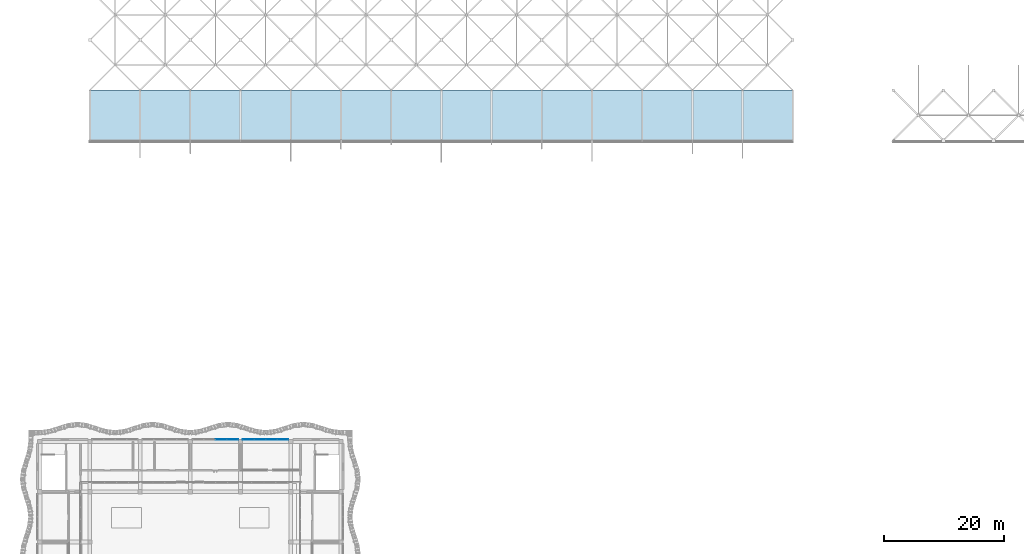
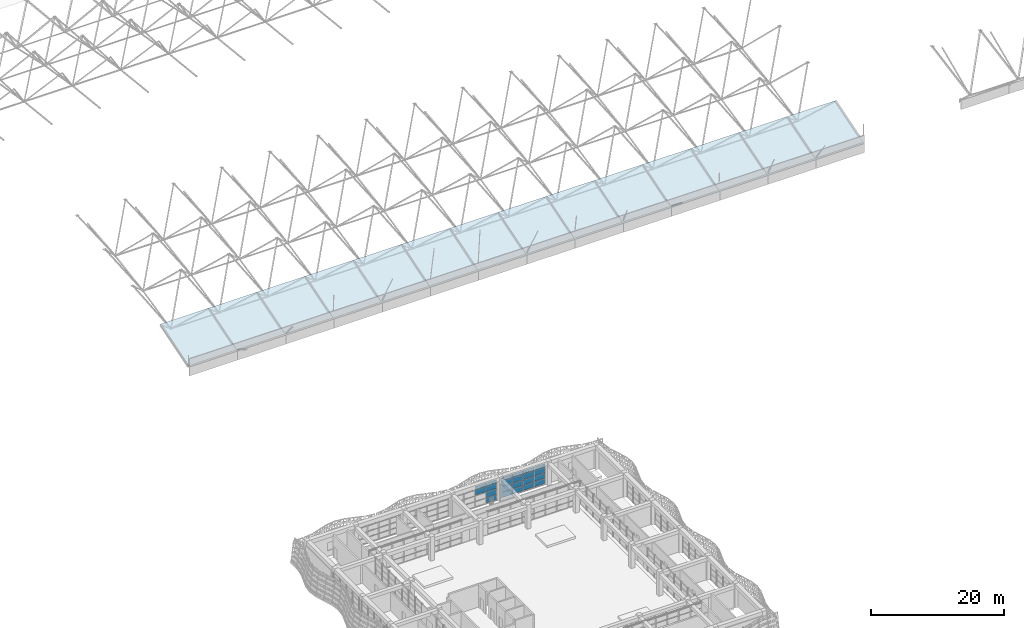
# One storey, part 34 of 85: 22 plates, 14 slabs, 2 elements without a shape of their own.
"""IFC4 building model written with IfcOpenShell, lengths in metres."""

from ifc_helpers import new_model, si_unit, direction, frame, origin, origin_2d, place, context, subcontext, project, spatial, polyline, rectangle, outline, extrude, material, layer, layer_set, type_object, element, aggregate, save


model = new_model("IFC4")

# Units and contexts
model_context = context("Model", 3, precision=1e-05, world=origin(), true_north=direction((0.0, 1.0)))
body_context = subcontext(model_context, "Body", "Model", "MODEL_VIEW")
ifc_project = project(units=[si_unit("LENGTHUNIT", "METRE"), si_unit("AREAUNIT", "SQUARE_METRE"), si_unit("VOLUMEUNIT", "CUBIC_METRE"), si_unit("PLANEANGLEUNIT", "RADIAN"), si_unit("MASSUNIT", "GRAM", prefix="KILO")], contexts=[model_context])

# Site, building, storey
site_placement = place(None, origin())
site = spatial("IfcSite", under=ifc_project, at=site_placement, CompositionType="ELEMENT")
building_placement = place(site_placement, origin())
building = spatial("IfcBuilding", under=site, at=building_placement, Name="Rain Tree Exposition and Congress Centre", CompositionType="ELEMENT")
storey_placement = place(building_placement, frame((0.0, 0.0, 15.0)))
storey = spatial("IfcBuildingStorey", under=building, at=storey_placement, Name="L03", CompositionType="ELEMENT", Elevation=15.0)

# Slabs
ifc_material_1 = material(Name="Insulated roof panel, S350GD+Z steel skins", Category="steel")
ifc_layer_1 = layer(ifc_material_1, 0.1201171875)
ifc_layer_set_1 = layer_set([ifc_layer_1], Name="Insulated roof panel, S350GD+Z steel skins")
slab_type = type_object("IfcSlabType", Name="Vault roof panel 120", PredefinedType="ROOF", material=ifc_layer_set_1)
slab_1_placement = place(storey_placement, frame((8.39990234375, 100.800048828125, 3.0), z_axis=(0.0, -0.297418491802, 0.954747213001), x_axis=(1.0, 0.0, 0.0)))
element("IfcSlab", 1, at=slab_1_placement, inside=storey, type_object=slab_type, Name="Vault roof panel 1", PredefinedType="ROOF", context=body_context, shape_type="SweptSolid", body=[
    extrude(outline(polyline([(0.0, 0.0), (8.400146484375, 0.0), (8.400146484375, 8.798038087320585), (0.0, 8.798038087320585), (0.0, 0.0)])), origin(), (0.0, 0.0, -1.0), 0.1201171875),
])
slab_2_placement = place(storey_placement, frame((16.800048828125, 100.800048828125, 3.0), z_axis=(0.0, -0.297418491802, 0.954747213001), x_axis=(1.0, 0.0, 0.0)))
element("IfcSlab", 2, at=slab_2_placement, inside=storey, type_object=slab_type, Name="Vault roof panel 2", PredefinedType="ROOF", context=body_context, shape_type="SweptSolid", body=[
    extrude(outline(polyline([(0.0, 0.0), (8.39990234375, 0.0), (8.39990234375, 8.798038087320581), (0.0, 8.798038087320581), (0.0, 0.0)])), origin(), (0.0, 0.0, -1.0), 0.1201171875),
])
slab_3_placement = place(storey_placement, frame((25.199951171875, 100.800048828125, 3.0), z_axis=(0.0, -0.297418491802, 0.954747213001), x_axis=(1.0, 0.0, 0.0)))
element("IfcSlab", 3, at=slab_3_placement, inside=storey, type_object=slab_type, Name="Vault roof panel 3", PredefinedType="ROOF", context=body_context, shape_type="SweptSolid", body=[
    extrude(outline(polyline([(0.0, 0.0), (8.400146484375, 0.0), (8.400146484375, 8.798038087320585), (0.0, 8.798038087320585), (0.0, 0.0)])), origin(), (0.0, 0.0, -1.0), 0.1201171875),
])
for number, where, z_axis, x_axis, name in (
    (4, (33.60009765625, 100.800048828125, 3.0), (0.0, -0.297418491802, 0.954747213001), (1.0, 0.0, 0.0), "Vault roof panel 4"),
    (5, (42.0, 100.800048828125, 3.0), (0.0, -0.297418491802, 0.954747213001), (1.0, 0.0, 0.0), "Vault roof panel 5"),
):
    element("IfcSlab", number, at=place(storey_placement, frame(where, z_axis=z_axis, x_axis=x_axis)), inside=storey, type_object=slab_type, Name=name, PredefinedType="ROOF", context=body_context, shape_type="SweptSolid", body=[
        extrude(outline(polyline([(0.0, 0.0), (8.39990234375, 0.0), (8.39990234375, 8.798038087320581), (0.0, 8.798038087320581), (0.0, 0.0)])), origin(), (0.0, 0.0, -1.0), 0.1201171875),
    ])
slab_4_placement = place(storey_placement, frame((50.39990234375, 100.800048828125, 3.0), z_axis=(0.0, -0.297418491802, 0.954747213001), x_axis=(1.0, 0.0, 0.0)))
element("IfcSlab", 6, at=slab_4_placement, inside=storey, type_object=slab_type, Name="Vault roof panel 6", PredefinedType="ROOF", context=body_context, shape_type="SweptSolid", body=[
    extrude(outline(polyline([(0.0, 0.0), (8.400146484375, 0.0), (8.400146484375, 8.798038087320585), (0.0, 8.798038087320585), (0.0, 0.0)])), origin(), (0.0, 0.0, -1.0), 0.1201171875),
])
slab_5_placement = place(storey_placement, frame((58.800048828125, 100.800048828125, 3.0), z_axis=(0.0, -0.297418491802, 0.954747213001), x_axis=(1.0, 0.0, 0.0)))
element("IfcSlab", 7, at=slab_5_placement, inside=storey, type_object=slab_type, Name="Vault roof panel 7", PredefinedType="ROOF", context=body_context, shape_type="SweptSolid", body=[
    extrude(outline(polyline([(0.0, 0.0), (8.39990234375, 0.0), (8.39990234375, 8.798038087320581), (0.0, 8.798038087320581), (0.0, 0.0)])), origin(), (0.0, 0.0, -1.0), 0.1201171875),
])
slab_6_placement = place(storey_placement, frame((67.199951171875, 100.800048828125, 3.0), z_axis=(0.0, -0.297418491802, 0.954747213001), x_axis=(1.0, 0.0, 0.0)))
element("IfcSlab", 8, at=slab_6_placement, inside=storey, type_object=slab_type, Name="Vault roof panel 8", PredefinedType="ROOF", context=body_context, shape_type="SweptSolid", body=[
    extrude(outline(polyline([(0.0, 0.0), (8.400146484375, 0.0), (8.400146484375, 8.798038087320585), (0.0, 8.798038087320585), (0.0, 0.0)])), origin(), (0.0, 0.0, -1.0), 0.1201171875),
])
for number, where, z_axis, x_axis, name in (
    (9, (75.60009765625, 100.800048828125, 3.0), (0.0, -0.297418491802, 0.954747213001), (1.0, 0.0, 0.0), "Vault roof panel 9"),
    (10, (84.0, 100.800048828125, 3.0), (0.0, -0.297418491802, 0.954747213001), (1.0, 0.0, 0.0), "Vault roof panel 10"),
):
    element("IfcSlab", number, at=place(storey_placement, frame(where, z_axis=z_axis, x_axis=x_axis)), inside=storey, type_object=slab_type, Name=name, PredefinedType="ROOF", context=body_context, shape_type="SweptSolid", body=[
        extrude(outline(polyline([(0.0, 0.0), (8.39990234375, 0.0), (8.39990234375, 8.798038087320581), (0.0, 8.798038087320581), (0.0, 0.0)])), origin(), (0.0, 0.0, -1.0), 0.1201171875),
    ])
slab_7_placement = place(storey_placement, frame((92.39990234375, 100.800048828125, 3.0), z_axis=(0.0, -0.297418491802, 0.954747213001), x_axis=(1.0, 0.0, 0.0)))
element("IfcSlab", 11, at=slab_7_placement, inside=storey, type_object=slab_type, Name="Vault roof panel 11", PredefinedType="ROOF", context=body_context, shape_type="SweptSolid", body=[
    extrude(outline(polyline([(0.0, 0.0), (8.400146484375, 0.0), (8.400146484375, 8.798038087320585), (0.0, 8.798038087320585), (0.0, 0.0)])), origin(), (0.0, 0.0, -1.0), 0.1201171875),
])
slab_8_placement = place(storey_placement, frame((100.800048828125, 100.800048828125, 3.0), z_axis=(0.0, -0.297418491802, 0.954747213001), x_axis=(1.0, 0.0, 0.0)))
element("IfcSlab", 12, at=slab_8_placement, inside=storey, type_object=slab_type, Name="Vault roof panel 12", PredefinedType="ROOF", context=body_context, shape_type="SweptSolid", body=[
    extrude(outline(polyline([(0.0, 0.0), (8.39990234375, 0.0), (8.39990234375, 8.798038087320581), (0.0, 8.798038087320581), (0.0, 0.0)])), origin(), (0.0, 0.0, -1.0), 0.1201171875),
])
slab_9_placement = place(storey_placement, frame((109.199951171875, 100.800048828125, 3.0), z_axis=(0.0, -0.297418491802, 0.954747213001), x_axis=(1.0, 0.0, 0.0)))
element("IfcSlab", 13, at=slab_9_placement, inside=storey, type_object=slab_type, Name="Vault roof panel 13", PredefinedType="ROOF", context=body_context, shape_type="SweptSolid", body=[
    extrude(outline(polyline([(0.0, 0.0), (8.400146484375, 0.0), (8.400146484375, 8.798038087320585), (0.0, 8.798038087320585), (0.0, 0.0)])), origin(), (0.0, 0.0, -1.0), 0.1201171875),
])
slab_10_placement = place(storey_placement, frame((117.60009765625, 100.800048828125, 3.0), z_axis=(0.0, -0.297418491802, 0.954747213001), x_axis=(1.0, 0.0, 0.0)))
element("IfcSlab", 14, at=slab_10_placement, inside=storey, type_object=slab_type, Name="Vault roof panel 14", PredefinedType="ROOF", context=body_context, shape_type="SweptSolid", body=[
    extrude(outline(polyline([(0.0, 0.0), (8.39990234375, 0.0), (8.39990234375, 8.798038087320581), (0.0, 8.798038087320581), (0.0, 0.0)])), origin(), (0.0, 0.0, -1.0), 0.1201171875),
])

# Curtain wall, plates
ifc_material_2 = material(Name="Aluminium curtain wall", Category="aluminium")
curtain_wall_type = type_object("IfcCurtainWallType", Name="Wing curtain wall 1925", PredefinedType="NOTDEFINED", material=ifc_material_2)
curtain_wall_1_placement = place(storey_placement, origin())
curtain_wall_1 = element("IfcCurtainWall", 15, at=curtain_wall_1_placement, inside=storey, type_object=curtain_wall_type, Name="Curtain wall CWW406", PredefinedType="NOTDEFINED")
ifc_material_3 = material(Name="Double glazed unit", Category="glass")
ifc_layer_2 = layer(ifc_material_3, 0.028076171875)
ifc_layer_set_2 = layer_set([ifc_layer_2], Name="Double glazed unit")
plate_type = type_object("IfcPlateType", Name="Wing glazing panel 28", PredefinedType="CURTAIN_PANEL", material=ifc_layer_set_2)
plate_1_placement = place(storey_placement, frame((30.362548828125, 50.75, 2.1298828125), z_axis=(0.0, 0.0, 1.0), x_axis=(1.0, 0.0, 0.0)))
plate_1 = element("IfcPlate", 16, at=plate_1_placement, type_object=plate_type, Name="CWW406 panel 3.3", PredefinedType="CURTAIN_PANEL", context=body_context, shape_type="SweptSolid", body=[
    extrude(rectangle(XDim=1.864990234375, YDim=0.028076171875, at=origin_2d()), origin(), (0.0, 0.0, 1.0), 0.989990234375),
])
plate_2_placement = place(storey_placement, frame((30.362548828125, 50.75, 3.179931640625), z_axis=(0.0, 0.0, 1.0), x_axis=(1.0, 0.0, 0.0)))
plate_2 = element("IfcPlate", 17, at=plate_2_placement, type_object=plate_type, Name="CWW406 panel 3.4", PredefinedType="CURTAIN_PANEL", context=body_context, shape_type="SweptSolid", body=[
    extrude(rectangle(XDim=1.864990234375, YDim=0.028076171875, at=origin_2d()), origin(), (0.0, 0.0, 1.0), 0.56005859375),
])
plate_3_placement = place(storey_placement, frame((32.2724609375, 50.75, 0.06005859375), z_axis=(0.0, 0.0, 1.0), x_axis=(1.0, 0.0, 0.0)))
plate_3 = element("IfcPlate", 18, at=plate_3_placement, type_object=plate_type, Name="CWW406 panel 4.1", PredefinedType="CURTAIN_PANEL", context=body_context, shape_type="SweptSolid", body=[
    extrude(rectangle(XDim=1.8349609375, YDim=0.028076171875, at=origin_2d()), origin(), (0.0, 0.0, 1.0), 0.9599609375),
])
plate_4_placement = place(storey_placement, frame((32.2724609375, 50.75, 1.080078125), z_axis=(0.0, 0.0, 1.0), x_axis=(1.0, 0.0, 0.0)))
plate_4 = element("IfcPlate", 19, at=plate_4_placement, type_object=plate_type, Name="CWW406 panel 4.2", PredefinedType="CURTAIN_PANEL", context=body_context, shape_type="SweptSolid", body=[
    extrude(rectangle(XDim=1.8349609375, YDim=0.028076171875, at=origin_2d()), origin(), (0.0, 0.0, 1.0), 0.989990234375),
])
plate_5_placement = place(storey_placement, frame((32.2724609375, 50.75, 2.1298828125), z_axis=(0.0, 0.0, 1.0), x_axis=(1.0, 0.0, 0.0)))
plate_5 = element("IfcPlate", 20, at=plate_5_placement, type_object=plate_type, Name="CWW406 panel 4.3", PredefinedType="CURTAIN_PANEL", context=body_context, shape_type="SweptSolid", body=[
    extrude(rectangle(XDim=1.8349609375, YDim=0.028076171875, at=origin_2d()), origin(), (0.0, 0.0, 1.0), 0.989990234375),
])
plate_6_placement = place(storey_placement, frame((32.2724609375, 50.75, 3.179931640625), z_axis=(0.0, 0.0, 1.0), x_axis=(1.0, 0.0, 0.0)))
plate_6 = element("IfcPlate", 21, at=plate_6_placement, type_object=plate_type, Name="CWW406 panel 4.4", PredefinedType="CURTAIN_PANEL", context=body_context, shape_type="SweptSolid", body=[
    extrude(rectangle(XDim=1.8349609375, YDim=0.028076171875, at=origin_2d()), origin(), (0.0, 0.0, 1.0), 0.56005859375),
])
aggregate(curtain_wall_1, [plate_1, plate_2, plate_3, plate_4, plate_5, plate_6])

curtain_wall_2_placement = place(storey_placement, origin())
curtain_wall_2 = element("IfcCurtainWall", 22, at=curtain_wall_2_placement, inside=storey, type_object=curtain_wall_type, Name="Curtain wall CWW407", PredefinedType="NOTDEFINED")
plate_7_placement = place(storey_placement, frame((34.927490234375, 50.75, 0.06005859375), z_axis=(0.0, 0.0, 1.0), x_axis=(1.0, 0.0, 0.0)))
plate_7 = element("IfcPlate", 23, at=plate_7_placement, type_object=plate_type, Name="CWW407 panel 1.1", PredefinedType="CURTAIN_PANEL", context=body_context, shape_type="SweptSolid", body=[
    extrude(rectangle(XDim=1.8349609375, YDim=0.028076171875, at=origin_2d()), origin(), (0.0, 0.0, 1.0), 0.9599609375),
])
plate_8_placement = place(storey_placement, frame((34.927490234375, 50.75, 1.080078125), z_axis=(0.0, 0.0, 1.0), x_axis=(1.0, 0.0, 0.0)))
plate_8 = element("IfcPlate", 24, at=plate_8_placement, type_object=plate_type, Name="CWW407 panel 1.2", PredefinedType="CURTAIN_PANEL", context=body_context, shape_type="SweptSolid", body=[
    extrude(rectangle(XDim=1.8349609375, YDim=0.028076171875, at=origin_2d()), origin(), (0.0, 0.0, 1.0), 0.989990234375),
])
plate_9_placement = place(storey_placement, frame((34.927490234375, 50.75, 2.1298828125), z_axis=(0.0, 0.0, 1.0), x_axis=(1.0, 0.0, 0.0)))
plate_9 = element("IfcPlate", 25, at=plate_9_placement, type_object=plate_type, Name="CWW407 panel 1.3", PredefinedType="CURTAIN_PANEL", context=body_context, shape_type="SweptSolid", body=[
    extrude(rectangle(XDim=1.8349609375, YDim=0.028076171875, at=origin_2d()), origin(), (0.0, 0.0, 1.0), 0.989990234375),
])
plate_10_placement = place(storey_placement, frame((34.927490234375, 50.75, 3.179931640625), z_axis=(0.0, 0.0, 1.0), x_axis=(1.0, 0.0, 0.0)))
plate_10 = element("IfcPlate", 26, at=plate_10_placement, type_object=plate_type, Name="CWW407 panel 1.4", PredefinedType="CURTAIN_PANEL", context=body_context, shape_type="SweptSolid", body=[
    extrude(rectangle(XDim=1.8349609375, YDim=0.028076171875, at=origin_2d()), origin(), (0.0, 0.0, 1.0), 0.56005859375),
])
plate_11_placement = place(storey_placement, frame((36.83740234375, 50.75, 0.06005859375), z_axis=(0.0, 0.0, 1.0), x_axis=(1.0, 0.0, 0.0)))
plate_11 = element("IfcPlate", 27, at=plate_11_placement, type_object=plate_type, Name="CWW407 panel 2.1", PredefinedType="CURTAIN_PANEL", context=body_context, shape_type="SweptSolid", body=[
    extrude(rectangle(XDim=1.864990234375, YDim=0.028076171875, at=origin_2d()), origin(), (0.0, 0.0, 1.0), 0.9599609375),
])
plate_12_placement = place(storey_placement, frame((36.83740234375, 50.75, 1.080078125), z_axis=(0.0, 0.0, 1.0), x_axis=(1.0, 0.0, 0.0)))
plate_12 = element("IfcPlate", 28, at=plate_12_placement, type_object=plate_type, Name="CWW407 panel 2.2", PredefinedType="CURTAIN_PANEL", context=body_context, shape_type="SweptSolid", body=[
    extrude(rectangle(XDim=1.864990234375, YDim=0.028076171875, at=origin_2d()), origin(), (0.0, 0.0, 1.0), 0.989990234375),
])
plate_13_placement = place(storey_placement, frame((36.83740234375, 50.75, 2.1298828125), z_axis=(0.0, 0.0, 1.0), x_axis=(1.0, 0.0, 0.0)))
plate_13 = element("IfcPlate", 29, at=plate_13_placement, type_object=plate_type, Name="CWW407 panel 2.3", PredefinedType="CURTAIN_PANEL", context=body_context, shape_type="SweptSolid", body=[
    extrude(rectangle(XDim=1.864990234375, YDim=0.028076171875, at=origin_2d()), origin(), (0.0, 0.0, 1.0), 0.989990234375),
])
plate_14_placement = place(storey_placement, frame((36.83740234375, 50.75, 3.179931640625), z_axis=(0.0, 0.0, 1.0), x_axis=(1.0, 0.0, 0.0)))
plate_14 = element("IfcPlate", 30, at=plate_14_placement, type_object=plate_type, Name="CWW407 panel 2.4", PredefinedType="CURTAIN_PANEL", context=body_context, shape_type="SweptSolid", body=[
    extrude(rectangle(XDim=1.864990234375, YDim=0.028076171875, at=origin_2d()), origin(), (0.0, 0.0, 1.0), 0.56005859375),
])
plate_15_placement = place(storey_placement, frame((38.762451171875, 50.75, 0.06005859375), z_axis=(0.0, 0.0, 1.0), x_axis=(1.0, 0.0, 0.0)))
plate_15 = element("IfcPlate", 31, at=plate_15_placement, type_object=plate_type, Name="CWW407 panel 3.1", PredefinedType="CURTAIN_PANEL", context=body_context, shape_type="SweptSolid", body=[
    extrude(rectangle(XDim=1.864990234375, YDim=0.028076171875, at=origin_2d()), origin(), (0.0, 0.0, 1.0), 0.9599609375),
])
plate_16_placement = place(storey_placement, frame((38.762451171875, 50.75, 1.080078125), z_axis=(0.0, 0.0, 1.0), x_axis=(1.0, 0.0, 0.0)))
plate_16 = element("IfcPlate", 32, at=plate_16_placement, type_object=plate_type, Name="CWW407 panel 3.2", PredefinedType="CURTAIN_PANEL", context=body_context, shape_type="SweptSolid", body=[
    extrude(rectangle(XDim=1.864990234375, YDim=0.028076171875, at=origin_2d()), origin(), (0.0, 0.0, 1.0), 0.989990234375),
])
plate_17_placement = place(storey_placement, frame((38.762451171875, 50.75, 2.1298828125), z_axis=(0.0, 0.0, 1.0), x_axis=(1.0, 0.0, 0.0)))
plate_17 = element("IfcPlate", 33, at=plate_17_placement, type_object=plate_type, Name="CWW407 panel 3.3", PredefinedType="CURTAIN_PANEL", context=body_context, shape_type="SweptSolid", body=[
    extrude(rectangle(XDim=1.864990234375, YDim=0.028076171875, at=origin_2d()), origin(), (0.0, 0.0, 1.0), 0.989990234375),
])
plate_18_placement = place(storey_placement, frame((38.762451171875, 50.75, 3.179931640625), z_axis=(0.0, 0.0, 1.0), x_axis=(1.0, 0.0, 0.0)))
plate_18 = element("IfcPlate", 34, at=plate_18_placement, type_object=plate_type, Name="CWW407 panel 3.4", PredefinedType="CURTAIN_PANEL", context=body_context, shape_type="SweptSolid", body=[
    extrude(rectangle(XDim=1.864990234375, YDim=0.028076171875, at=origin_2d()), origin(), (0.0, 0.0, 1.0), 0.56005859375),
])
plate_19_placement = place(storey_placement, frame((40.672607421875, 50.75, 0.06005859375), z_axis=(0.0, 0.0, 1.0), x_axis=(1.0, 0.0, 0.0)))
plate_19 = element("IfcPlate", 35, at=plate_19_placement, type_object=plate_type, Name="CWW407 panel 4.1", PredefinedType="CURTAIN_PANEL", context=body_context, shape_type="SweptSolid", body=[
    extrude(rectangle(XDim=1.8349609375, YDim=0.028076171875, at=origin_2d()), origin(), (0.0, 0.0, 1.0), 0.9599609375),
])
plate_20_placement = place(storey_placement, frame((40.672607421875, 50.75, 1.080078125), z_axis=(0.0, 0.0, 1.0), x_axis=(1.0, 0.0, 0.0)))
plate_20 = element("IfcPlate", 36, at=plate_20_placement, type_object=plate_type, Name="CWW407 panel 4.2", PredefinedType="CURTAIN_PANEL", context=body_context, shape_type="SweptSolid", body=[
    extrude(rectangle(XDim=1.8349609375, YDim=0.028076171875, at=origin_2d()), origin(), (0.0, 0.0, 1.0), 0.989990234375),
])
plate_21_placement = place(storey_placement, frame((40.672607421875, 50.75, 2.1298828125), z_axis=(0.0, 0.0, 1.0), x_axis=(1.0, 0.0, 0.0)))
plate_21 = element("IfcPlate", 37, at=plate_21_placement, type_object=plate_type, Name="CWW407 panel 4.3", PredefinedType="CURTAIN_PANEL", context=body_context, shape_type="SweptSolid", body=[
    extrude(rectangle(XDim=1.8349609375, YDim=0.028076171875, at=origin_2d()), origin(), (0.0, 0.0, 1.0), 0.989990234375),
])
plate_22_placement = place(storey_placement, frame((40.672607421875, 50.75, 3.179931640625), z_axis=(0.0, 0.0, 1.0), x_axis=(1.0, 0.0, 0.0)))
plate_22 = element("IfcPlate", 38, at=plate_22_placement, type_object=plate_type, Name="CWW407 panel 4.4", PredefinedType="CURTAIN_PANEL", context=body_context, shape_type="SweptSolid", body=[
    extrude(rectangle(XDim=1.8349609375, YDim=0.028076171875, at=origin_2d()), origin(), (0.0, 0.0, 1.0), 0.56005859375),
])
aggregate(curtain_wall_2, [plate_7, plate_8, plate_9, plate_10, plate_11, plate_12, plate_13, plate_14, plate_15, plate_16, plate_17, plate_18, plate_19, plate_20, plate_21, plate_22])

save(model, "model.ifc")
